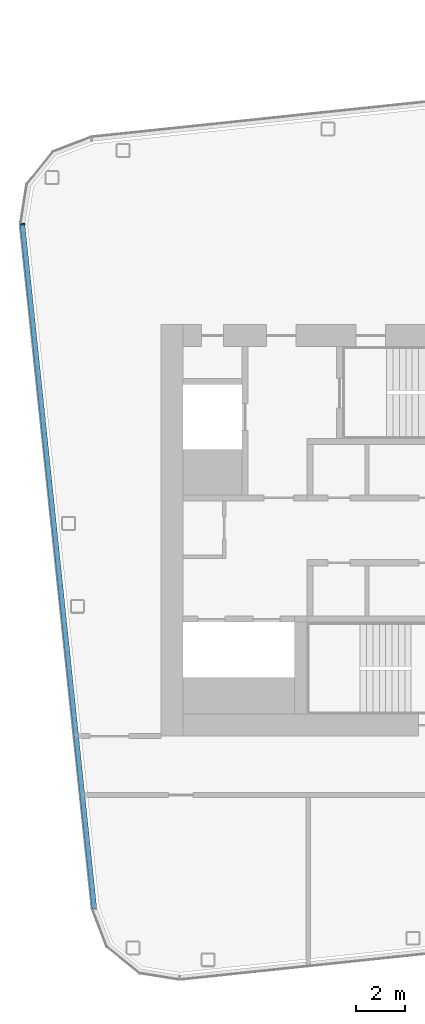
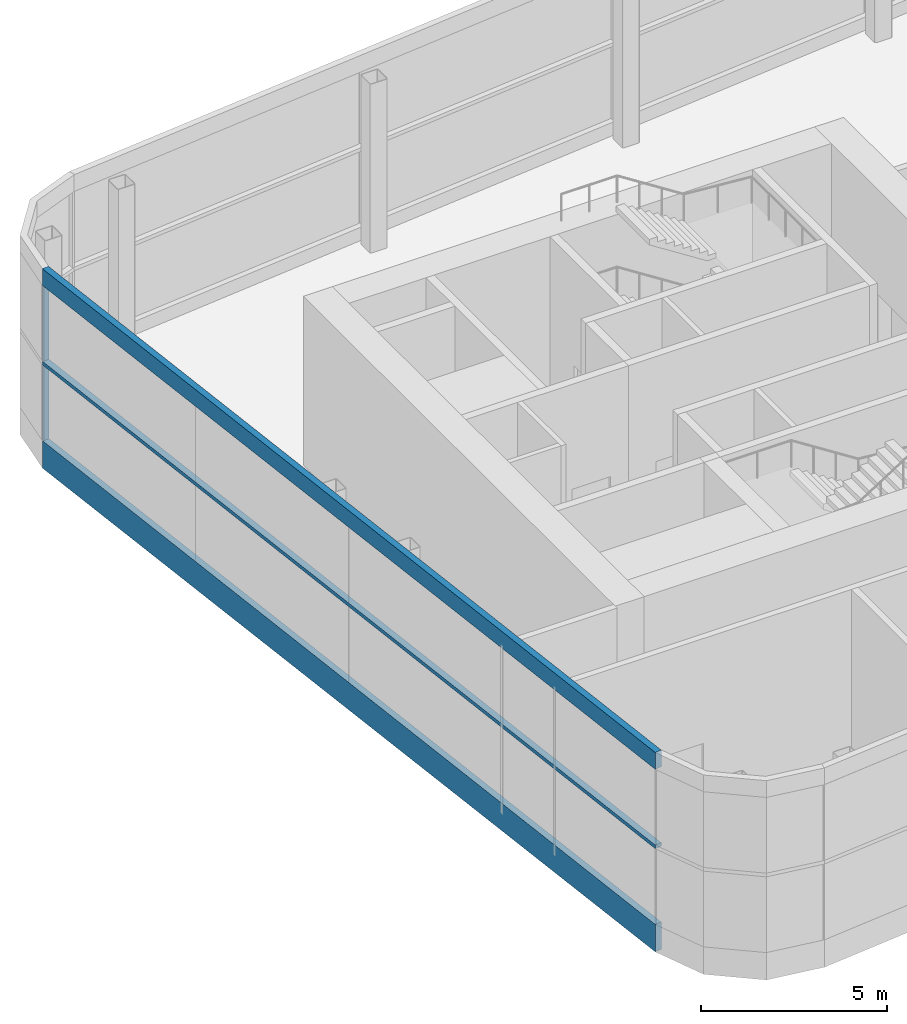
# One storey, part 4 of 35: 5 members, 1 element without a shape of its own.
"""IFC4 building model written with IfcOpenShell, lengths in metres."""

from ifc_helpers import new_model, si_unit, direction, frame, origin, origin_2d, place, context, subcontext, project, spatial, rectangle, extrude, material, layer, layer_set, material_profile, profile_set, type_object, element, aggregate, save


model = new_model("IFC4")

# Units and contexts
model_context = context("Model", 3, precision=1e-05, world=origin(), true_north=direction((0.0, 1.0)))
body_context = subcontext(model_context, "Body", "Model", "MODEL_VIEW")
ifc_project = project(units=[si_unit("LENGTHUNIT", "METRE"), si_unit("AREAUNIT", "SQUARE_METRE"), si_unit("VOLUMEUNIT", "CUBIC_METRE"), si_unit("PLANEANGLEUNIT", "RADIAN"), si_unit("MASSUNIT", "GRAM", prefix="KILO")], contexts=[model_context])

# Site, building, storey
site_placement = place(None, origin())
site = spatial("IfcSite", under=ifc_project, at=site_placement, CompositionType="ELEMENT")
building_placement = place(site_placement, origin())
building = spatial("IfcBuilding", under=site, at=building_placement, Name="Hakoniwa Tower and Hamabe Station Hall", CompositionType="ELEMENT")
storey_placement = place(building_placement, frame((0.0, 0.0, 270.60009765625)))
storey = spatial("IfcBuildingStorey", under=building, at=storey_placement, Name="L76", CompositionType="ELEMENT", Elevation=270.60009765625)

# Curtain wall, members
ifc_material_1 = material(Name="Dark low-e laminated glass", Category="glass")
ifc_layer = layer(ifc_material_1, 0.199951171875)
ifc_layer_set = layer_set([ifc_layer], Name="CW-1 UNITISED GUEST")
curtain_wall_type = type_object("IfcCurtainWallType", Name="CW-1 UNITISED GUEST", PredefinedType="NOTDEFINED", material=ifc_layer_set)
curtain_wall_placement = place(storey_placement, origin())
curtain_wall = element("IfcCurtainWall", 1, at=curtain_wall_placement, inside=storey, type_object=curtain_wall_type, Name="CW-1 curtain wall", PredefinedType="NOTDEFINED")
ifc_material_2 = material(Name="Aluminium 6063-T5 black anodised", Category="aluminium")
ifc_material_profile_1 = material_profile(ifc_material_2, rectangle(XDim=0.199951171875, YDim=0.550048828125, at=origin_2d()), Name="CW HEAD BAND 550X200")
ifc_profile_set_1 = profile_set([ifc_material_profile_1], Name="Aluminium 6063-T5 black anodised")
member_type_1 = type_object("IfcMemberType", Name="CW HEAD BAND 550X200", PredefinedType="USERDEFINED", material=ifc_profile_set_1)
member_1_placement = place(storey_placement, frame((-39.25927734375, 12.490478515625, 5.724853515625), z_axis=(0.104529086463, -0.994521829868, 0.0), x_axis=(0.994521829868, 0.104529086463, 0.0)))
member_1 = element("IfcMember", 2, at=member_1_placement, type_object=member_type_1, Name="CW-1 transom", ObjectType="TRANSOM", PredefinedType="USERDEFINED", context=body_context, shape_type="SweptSolid", body=[
    extrude(rectangle(XDim=0.199951171875, YDim=0.550048828125, at=origin_2d()), origin(), (0.0, 0.0, 1.0), 28.078857421875),
])
ifc_material_3 = material(Name="Aluminium 6063-T5 black anodised", Category="aluminium")
ifc_material_profile_2 = material_profile(ifc_material_3, rectangle(XDim=0.199951171875, YDim=0.1201171875, at=origin_2d()), Name="CW MID TRANSOM 120X200")
ifc_profile_set_2 = profile_set([ifc_material_profile_2], Name="Aluminium 6063-T5 black anodised")
member_type_2 = type_object("IfcMemberType", Name="CW MID TRANSOM 120X200", PredefinedType="USERDEFINED", material=ifc_profile_set_2)
member_2_placement = place(storey_placement, frame((-39.25927734375, 12.490478515625, 2.89990234375), z_axis=(0.104529086463, -0.994521829868, 0.0), x_axis=(0.994521829868, 0.104529086463, 0.0)))
member_2 = element("IfcMember", 3, at=member_2_placement, type_object=member_type_2, Name="CW-1 transom", ObjectType="TRANSOM", PredefinedType="USERDEFINED", context=body_context, shape_type="SweptSolid", body=[
    extrude(rectangle(XDim=0.199951171875, YDim=0.1201171875, at=origin_2d()), origin(), (0.0, 0.0, 1.0), 28.078857421875),
])
ifc_material_4 = material(Name="Aluminium 6063-T5 black anodised", Category="aluminium")
ifc_material_profile_3 = material_profile(ifc_material_4, rectangle(XDim=0.199951171875, YDim=0.89990234375, at=origin_2d()), Name="CW SLAB-EDGE BAND 900X200")
ifc_profile_set_3 = profile_set([ifc_material_profile_3], Name="Aluminium 6063-T5 black anodised")
member_type_3 = type_object("IfcMemberType", Name="CW SLAB-EDGE BAND 900X200", PredefinedType="USERDEFINED", material=ifc_profile_set_3)
member_3_placement = place(storey_placement, frame((-39.25927734375, 12.490478515625, -0.10009765625), z_axis=(0.104529086463, -0.994521829868, 0.0), x_axis=(0.994521829868, 0.104529086463, 0.0)))
member_3 = element("IfcMember", 4, at=member_3_placement, type_object=member_type_3, Name="CW-1 transom", ObjectType="TRANSOM", PredefinedType="USERDEFINED", context=body_context, shape_type="SweptSolid", body=[
    extrude(rectangle(XDim=0.199951171875, YDim=0.89990234375, at=origin_2d()), origin(), (0.0, 0.0, 1.0), 28.078857421875),
])
ifc_material_5 = material(Name="Aluminium 6063-T5 black anodised", Category="aluminium")
ifc_material_profile_4 = material_profile(ifc_material_5, rectangle(XDim=0.06005859375, YDim=0.179931640625, at=origin_2d()), Name="CW-1 MULLION 60X180")
ifc_profile_set_4 = profile_set([ifc_material_profile_4], Name="Aluminium 6063-T5 black anodised")
member_type_4 = type_object("IfcMemberType", Name="CW-1 MULLION 60X180", PredefinedType="MULLION", material=ifc_profile_set_4)
member_4_placement = place(storey_placement, frame((-39.241455078125, 12.492431640625, 0.349853515625), z_axis=(0.0, 0.0, 1.0), x_axis=(0.104528468631, -0.994521894805, 0.0)))
member_4 = element("IfcMember", 5, at=member_4_placement, type_object=member_type_4, Name="CW-1 mullion", PredefinedType="MULLION", context=body_context, shape_type="SweptSolid", body=[
    extrude(rectangle(XDim=0.06005859375, YDim=0.179931640625, at=origin_2d()), origin(), (0.0, 0.0, 1.0), 2.489990234375),
])
member_5_placement = place(storey_placement, frame((-39.241455078125, 12.492431640625, 2.9599609375), z_axis=(0.0, 0.0, 1.0), x_axis=(0.104528468631, -0.994521894805, 0.0)))
member_5 = element("IfcMember", 6, at=member_5_placement, type_object=member_type_4, Name="CW-1 mullion", PredefinedType="MULLION", context=body_context, shape_type="SweptSolid", body=[
    extrude(rectangle(XDim=0.06005859375, YDim=0.179931640625, at=origin_2d()), origin(), (0.0, 0.0, 1.0), 2.489990234375),
])
aggregate(curtain_wall, [member_4, member_5, member_3, member_2, member_1])

save(model, "model.ifc")
